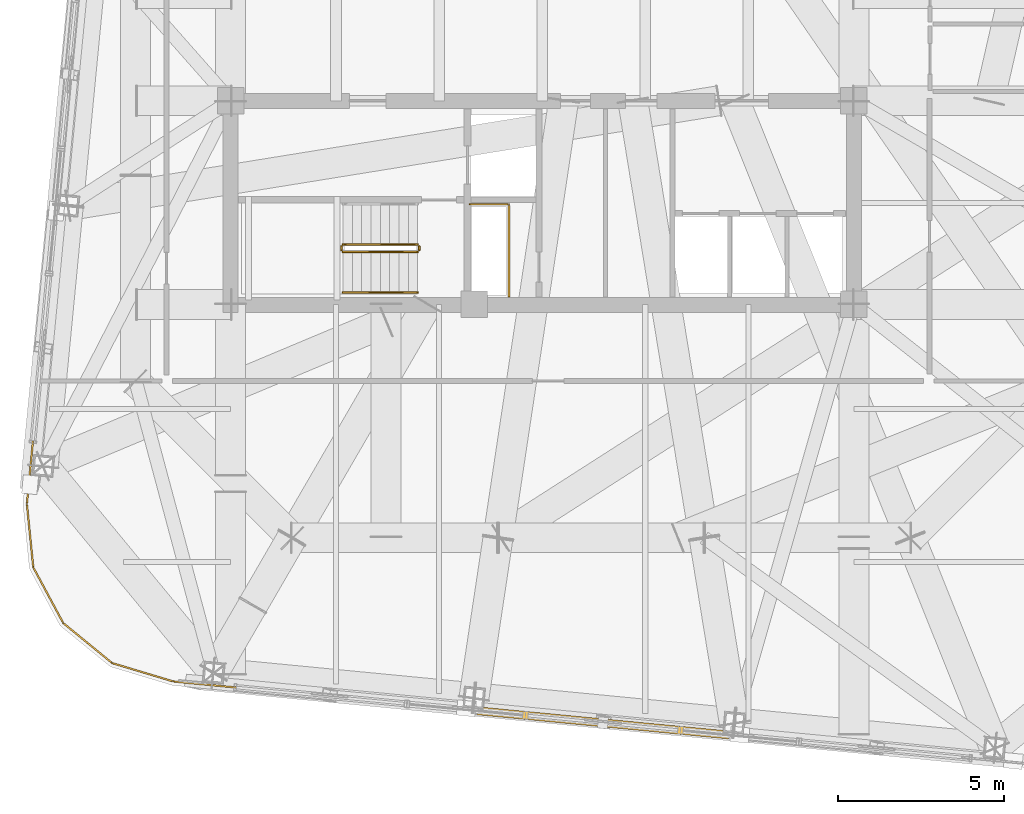
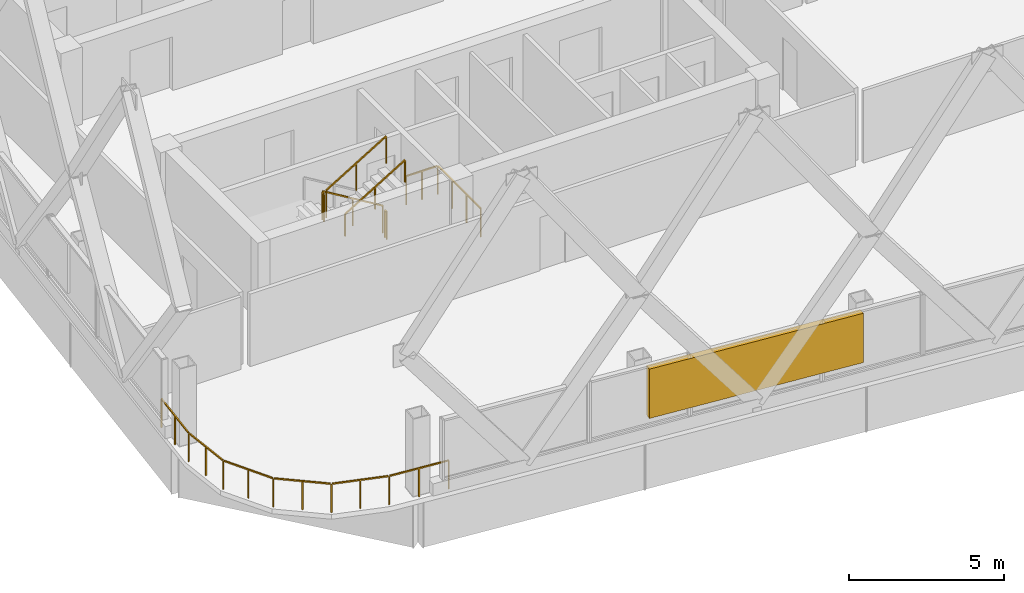
# One storey, part 28 of 31: 7 railings, 1 shading device.
"""IFC4 building model written with IfcOpenShell, lengths in metres."""

from ifc_helpers import new_model, si_unit, direction, frame, origin, origin_2d, place, context, subcontext, project, spatial, rectangle, extrude, material, type_object, element, save


model = new_model("IFC4")

# Units and contexts
model_context = context("Model", 3, precision=1e-05, world=origin(), true_north=direction((0.0, 1.0)))
body_context = subcontext(model_context, "Body", "Model", "MODEL_VIEW")
ifc_project = project(units=[si_unit("LENGTHUNIT", "METRE"), si_unit("AREAUNIT", "SQUARE_METRE"), si_unit("VOLUMEUNIT", "CUBIC_METRE"), si_unit("PLANEANGLEUNIT", "RADIAN"), si_unit("MASSUNIT", "GRAM", prefix="KILO")], contexts=[model_context])

# Site, building, storey
site_placement = place(None, origin())
site = spatial("IfcSite", under=ifc_project, at=site_placement, CompositionType="ELEMENT")
building_placement = place(site_placement, origin())
building = spatial("IfcBuilding", under=site, at=building_placement, Name="Qhalaya Broadcast Tower", CompositionType="ELEMENT")
storey_placement = place(building_placement, frame((0.0, 0.0, 242.85009765625)))
storey = spatial("IfcBuildingStorey", under=building, at=storey_placement, Name="L71", CompositionType="ELEMENT", Elevation=242.85009765625)

# Railings
ifc_material_1 = material(Name="Powder-Coated Galvanised Steel", Category="steel")
railing_type_1 = type_object("IfcRailingType", Name="Stair Wall Handrail 900", PredefinedType="HANDRAIL", material=ifc_material_1)
railing_1_placement = place(storey_placement, frame((-5.989990234375, -8.389892578125, 1.6943359375)))
element("IfcRailing", 1, at=railing_1_placement, inside=storey, type_object=railing_type_1, Name="L71 ST-2 Stair Handrail 2", PredefinedType="HANDRAIL", context=body_context, shape_type="SweptSolid", body=[
    extrude(rectangle(XDim=0.048095703125, YDim=0.048095703125, at=origin_2d()), frame((0.0, 0.0, 0.8759765625), z_axis=(0.855553338991, 0.0, 0.51771467445), x_axis=(0.0, 1.0, 0.0)), (0.0, 0.0, 1.0), 2.6181640625),
    extrude(rectangle(XDim=0.0419921875, YDim=0.0419921875, at=origin_2d()), origin(), (0.0, 0.0, 1.0), 0.849853515625),
    extrude(rectangle(XDim=0.0419921875, YDim=0.0419921875, at=origin_2d()), frame((1.1201171875, 0.0, 0.677734375)), (0.0, 0.0, 1.0), 0.849853515625),
    extrude(rectangle(XDim=0.0419921875, YDim=0.0419921875, at=origin_2d()), frame((2.239990234375, 0.0, 1.35546875)), (0.0, 0.0, 1.0), 0.849853515625),
])
railing_type_2 = type_object("IfcRailingType", Name="Stair Well & Landing Guardrail 1100", PredefinedType="GUARDRAIL", material=ifc_material_1)
railing_2_placement = place(storey_placement, frame((-1.0, -8.52001953125, 0.0)))
element("IfcRailing", 2, at=railing_2_placement, inside=storey, type_object=railing_type_2, Name="L71 Service Riser Opening Safety Guard SRSR", PredefinedType="GUARDRAIL", context=body_context, shape_type="SweptSolid", body=[
    extrude(rectangle(XDim=0.048095703125, YDim=0.048095703125, at=origin_2d()), frame((0.0, 0.0, 1.1259765625), z_axis=(0.0, 1.0, 0.0), x_axis=(-1.0, 0.0, 0.0)), (0.0, 0.0, 1.0), 2.751220703125),
    extrude(rectangle(XDim=0.048095703125, YDim=0.048095703125, at=origin_2d()), frame((-0.02880859375, 2.780029296875, 1.1259765625), z_axis=(-1.0, 0.0, 0.0), x_axis=(0.0, -1.0, 0.0)), (0.0, 0.0, 1.0), 1.151123046875),
    extrude(rectangle(XDim=0.0419921875, YDim=0.0419921875, at=origin_2d()), origin(), (0.0, 0.0, 1.0), 1.099853515625),
    extrude(rectangle(XDim=0.0419921875, YDim=0.0419921875, at=origin_2d()), frame((0.0, 0.9267578125, 0.0)), (0.0, 0.0, 1.0), 1.099853515625),
    extrude(rectangle(XDim=0.0419921875, YDim=0.0419921875, at=origin_2d()), frame((0.0, 1.853271484375, 0.0)), (0.0, 0.0, 1.0), 1.099853515625),
    extrude(rectangle(XDim=0.0419921875, YDim=0.0419921875, at=origin_2d()), frame((0.0, 2.780029296875, 0.0)), (0.0, 0.0, 1.0), 1.099853515625),
    extrude(rectangle(XDim=0.0419921875, YDim=0.0419921875, at=origin_2d()), frame((-0.58984375, 2.780029296875, 0.0)), (0.0, 0.0, 1.0), 1.099853515625),
    extrude(rectangle(XDim=0.0419921875, YDim=0.0419921875, at=origin_2d()), frame((-1.179931640625, 2.780029296875, 0.0)), (0.0, 0.0, 1.0), 1.099853515625),
])
railing_3_placement = place(storey_placement, frame((-3.75, -6.949951171875, 0.16943359375)))
element("IfcRailing", 3, at=railing_3_placement, inside=storey, type_object=railing_type_2, Name="L71 ST-2 Stair Guard 1", PredefinedType="GUARDRAIL", context=body_context, shape_type="SweptSolid", body=[
    extrude(rectangle(XDim=0.048095703125, YDim=0.048095703125, at=origin_2d()), frame((0.0, 0.0, 1.076171875), z_axis=(-0.855553338991, 0.0, 0.51771467445), x_axis=(0.0, -1.0, 0.0)), (0.0, 0.0, 1.0), 2.6181640625),
    extrude(rectangle(XDim=0.0419921875, YDim=0.0419921875, at=origin_2d()), origin(), (0.0, 0.0, 1.0), 1.050048828125),
    extrude(rectangle(XDim=0.0419921875, YDim=0.0419921875, at=origin_2d()), frame((-1.1201171875, 0.0, 0.677734375)), (0.0, 0.0, 1.0), 1.050048828125),
    extrude(rectangle(XDim=0.0419921875, YDim=0.0419921875, at=origin_2d()), frame((-2.239990234375, 0.0, 1.35546875)), (0.0, 0.0, 1.0), 1.050048828125),
])
railing_4_placement = place(storey_placement, frame((-6.0400390625, -7.0, 1.52490234375)))
element("IfcRailing", 4, at=railing_4_placement, inside=storey, type_object=railing_type_2, Name="L71 ST-2 Stair Guard 2", PredefinedType="GUARDRAIL", context=body_context, shape_type="SweptSolid", body=[
    extrude(rectangle(XDim=0.048095703125, YDim=0.048095703125, at=origin_2d()), frame((0.0, 0.0, 1.076171875), z_axis=(0.0, -1.0, 0.0), x_axis=(1.0, 0.0, 0.0)), (0.0, 0.0, 1.0), 0.1201171875),
    extrude(rectangle(XDim=0.0419921875, YDim=0.0419921875, at=origin_2d()), origin(), (0.0, 0.0, 1.0), 1.050048828125),
    extrude(rectangle(XDim=0.0419921875, YDim=0.0419921875, at=origin_2d()), frame((0.0, -0.1201171875, 0.0)), (0.0, 0.0, 1.0), 1.050048828125),
])
railing_5_placement = place(storey_placement, frame((-5.989990234375, -7.169921875, 1.6943359375)))
element("IfcRailing", 5, at=railing_5_placement, inside=storey, type_object=railing_type_2, Name="L71 ST-2 Stair Guard 3", PredefinedType="GUARDRAIL", context=body_context, shape_type="SweptSolid", body=[
    extrude(rectangle(XDim=0.048095703125, YDim=0.048095703125, at=origin_2d()), frame((0.0, 0.0, 1.076171875), z_axis=(0.855553338991, 0.0, 0.51771467445), x_axis=(0.0, 1.0, 0.0)), (0.0, 0.0, 1.0), 2.6181640625),
    extrude(rectangle(XDim=0.0419921875, YDim=0.0419921875, at=origin_2d()), origin(), (0.0, 0.0, 1.0), 1.050048828125),
    extrude(rectangle(XDim=0.0419921875, YDim=0.0419921875, at=origin_2d()), frame((1.1201171875, 0.0, 0.677734375)), (0.0, 0.0, 1.0), 1.050048828125),
    extrude(rectangle(XDim=0.0419921875, YDim=0.0419921875, at=origin_2d()), frame((2.239990234375, 0.0, 1.35546875)), (0.0, 0.0, 1.0), 1.050048828125),
])
railing_6_placement = place(storey_placement, frame((-3.699951171875, -7.0, 0.0)))
element("IfcRailing", 6, at=railing_6_placement, inside=storey, type_object=railing_type_2, Name="L71 ST-2 Stair Guard 4", PredefinedType="GUARDRAIL", context=body_context, shape_type="SweptSolid", body=[
    extrude(rectangle(XDim=0.048095703125, YDim=0.048095703125, at=origin_2d()), frame((0.0, 0.0, 1.076171875), z_axis=(0.0, -1.0, 0.0), x_axis=(1.0, 0.0, 0.0)), (0.0, 0.0, 1.0), 0.1201171875),
    extrude(rectangle(XDim=0.0419921875, YDim=0.0419921875, at=origin_2d()), origin(), (0.0, 0.0, 1.0), 1.050048828125),
    extrude(rectangle(XDim=0.0419921875, YDim=0.0419921875, at=origin_2d()), frame((0.0, -0.1201171875, 0.0)), (0.0, 0.0, 1.0), 1.050048828125),
])
railing_type_3 = type_object("IfcRailingType", Name="Terrace, Sky-Pool & Lookout Glass Balustrade 1150", PredefinedType="BALUSTRADE", material=ifc_material_1)
railing_7_placement = place(storey_placement, frame((-8.99365234375, -20.2958984375, 0.0)))
element("IfcRailing", 7, at=railing_7_placement, inside=storey, type_object=railing_type_3, Name="L71 Rounded Corner Perimeter Guard 02", PredefinedType="BALUSTRADE", context=body_context, shape_type="SweptSolid", body=[
    extrude(rectangle(XDim=0.048095703125, YDim=0.048095703125, at=origin_2d()), frame((0.0, 0.0, 1.1259765625), z_axis=(-0.995391273094, 0.095896889673, 0.0), x_axis=(-0.095896889673, -0.995391273094, 0.0)), (0.0, 0.0, 1.0), 2.08935546875),
    extrude(rectangle(XDim=0.048095703125, YDim=0.048095703125, at=origin_2d()), frame((-2.135986328125, 0.21142578125, 1.1259765625), z_axis=(-0.957601447485, 0.288096282124, 0.0), x_axis=(-0.288096282124, -0.957601447485, 0.0)), (0.0, 0.0, 1.0), 1.857421875),
    extrude(rectangle(XDim=0.048095703125, YDim=0.048095703125, at=origin_2d()), frame((-3.96484375, 0.773193359375, 1.1259765625), z_axis=(-0.774357190213, 0.63274871945, 0.0), x_axis=(-0.63274871945, -0.774357190213, 0.0)), (0.0, 0.0, 1.0), 1.845703125),
    extrude(rectangle(XDim=0.048095703125, YDim=0.048095703125, at=origin_2d()), frame((-5.429931640625, 1.984619140625, 1.1259765625), z_axis=(-0.473342342286, 0.880878554058, 0.0), x_axis=(-0.880878554058, -0.473342342286, 0.0)), (0.0, 0.0, 1.0), 1.845458984375),
    extrude(rectangle(XDim=0.048095703125, YDim=0.048095703125, at=origin_2d()), frame((-6.320068359375, 3.66455078125, 1.1259765625), z_axis=(-0.100071682341, 0.994980230152, 0.0), x_axis=(-0.994980230152, -0.100071682341, 0.0)), (0.0, 0.0, 1.0), 1.857421875),
    extrude(rectangle(XDim=0.048095703125, YDim=0.048095703125, at=origin_2d()), frame((-6.506103515625, 5.570068359375, 1.1259765625), z_axis=(0.095782687057, 0.995402268864, 0.0), x_axis=(-0.995402268864, 0.095782687057, 0.0)), (0.0, 0.0, 1.0), 2.08935546875),
    extrude(rectangle(XDim=0.0419921875, YDim=0.0419921875, at=origin_2d()), origin(), (0.0, 0.0, 1.0), 1.099853515625),
    extrude(rectangle(XDim=0.0419921875, YDim=0.0419921875, at=origin_2d()), frame((-1.05419921875, 0.1015625, 0.0)), (0.0, 0.0, 1.0), 1.099853515625),
    extrude(rectangle(XDim=0.0419921875, YDim=0.0419921875, at=origin_2d()), frame((-2.1083984375, 0.203125, 0.0)), (0.0, 0.0, 1.0), 1.099853515625),
    extrude(rectangle(XDim=0.0419921875, YDim=0.0419921875, at=origin_2d()), frame((-3.025390625, 0.47900390625, 0.0)), (0.0, 0.0, 1.0), 1.099853515625),
    extrude(rectangle(XDim=0.0419921875, YDim=0.0419921875, at=origin_2d()), frame((-3.9423828125, 0.7548828125, 0.0)), (0.0, 0.0, 1.0), 1.099853515625),
    extrude(rectangle(XDim=0.0419921875, YDim=0.0419921875, at=origin_2d()), frame((-4.67919921875, 1.35693359375, 0.0)), (0.0, 0.0, 1.0), 1.099853515625),
    extrude(rectangle(XDim=0.0419921875, YDim=0.0419921875, at=origin_2d()), frame((-5.416259765625, 1.959228515625, 0.0)), (0.0, 0.0, 1.0), 1.099853515625),
    extrude(rectangle(XDim=0.0419921875, YDim=0.0419921875, at=origin_2d()), frame((-5.86669921875, 2.79736328125, 0.0)), (0.0, 0.0, 1.0), 1.099853515625),
    extrude(rectangle(XDim=0.0419921875, YDim=0.0419921875, at=origin_2d()), frame((-6.317138671875, 3.6357421875, 0.0)), (0.0, 0.0, 1.0), 1.099853515625),
    extrude(rectangle(XDim=0.0419921875, YDim=0.0419921875, at=origin_2d()), frame((-6.4130859375, 4.58837890625, 0.0)), (0.0, 0.0, 1.0), 1.099853515625),
    extrude(rectangle(XDim=0.0419921875, YDim=0.0419921875, at=origin_2d()), frame((-6.5087890625, 5.541259765625, 0.0)), (0.0, 0.0, 1.0), 1.099853515625),
    extrude(rectangle(XDim=0.0419921875, YDim=0.0419921875, at=origin_2d()), frame((-6.4072265625, 6.595458984375, 0.0)), (0.0, 0.0, 1.0), 1.099853515625),
    extrude(rectangle(XDim=0.0419921875, YDim=0.0419921875, at=origin_2d()), frame((-6.305908203125, 7.649658203125, 0.0)), (0.0, 0.0, 1.0), 1.099853515625),
])

# Shading device
ifc_material_2 = material(Name="Fired Architectural Terracotta", Category="masonry")
shading_device_type = type_object("IfcShadingDeviceType", Name="Terracotta Baguette Solar Screen Assembly TBS-01", PredefinedType="USERDEFINED", material=ifc_material_2)
shading_device_placement = place(storey_placement, frame((1.826171875, -21.337646484375, 0.80078125), z_axis=(0.0, 0.0, 1.0), x_axis=(0.995396198367, -0.09584575252, 0.0)))
element("IfcShadingDevice", 8, at=shading_device_placement, inside=storey, type_object=shading_device_type, Name="L71 Fired Terracotta Baguette Screen S", ObjectType="BAGUETTE", PredefinedType="USERDEFINED", context=body_context, shape_type="SweptSolid", body=[
    extrude(rectangle(XDim=7.60009765625, YDim=0.239990234375, at=origin_2d()), origin(), (0.0, 0.0, 1.0), 1.945068359375),
])

save(model, "model.ifc")
